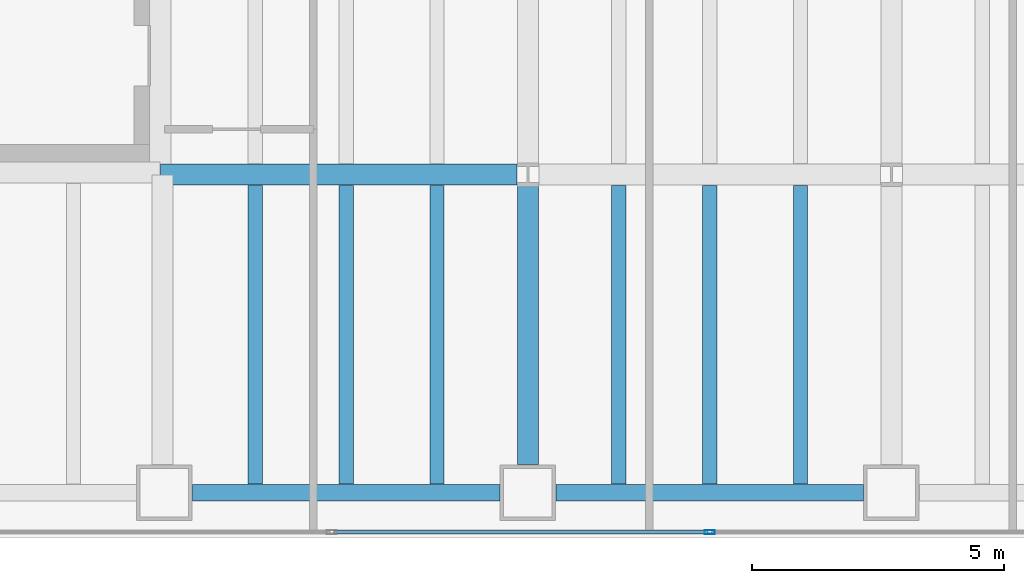
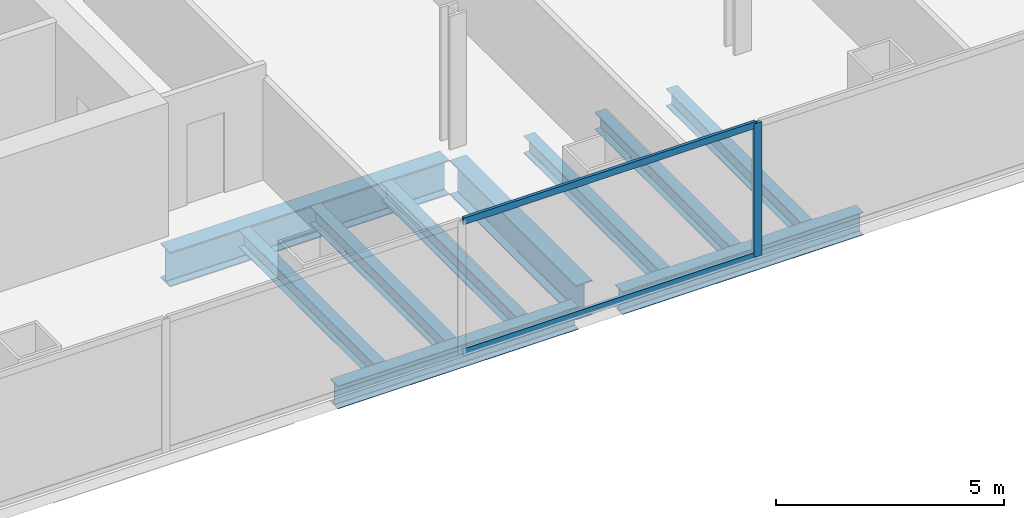
# One storey, part 4 of 25: 10 beams, 3 members, 1 element without a shape of its own.
"""IFC4 building model written with IfcOpenShell, lengths in metres."""

from ifc_helpers import new_model, si_unit, direction, frame, origin, origin_2d, place, context, subcontext, project, spatial, hollow_rectangle, i_section, extrude, material, material_profile, profile_set, type_object, element, aggregate, save


model = new_model("IFC4")

# Units and contexts
model_context = context("Model", 3, precision=1e-05, world=origin(), true_north=direction((0.0, 1.0)))
body_context = subcontext(model_context, "Body", "Model", "MODEL_VIEW")
ifc_project = project(units=[si_unit("LENGTHUNIT", "METRE"), si_unit("AREAUNIT", "SQUARE_METRE"), si_unit("VOLUMEUNIT", "CUBIC_METRE"), si_unit("PLANEANGLEUNIT", "RADIAN"), si_unit("MASSUNIT", "GRAM", prefix="KILO")], contexts=[model_context])

# Site, building, storey
site_placement = place(None, origin())
site = spatial("IfcSite", under=ifc_project, at=site_placement, CompositionType="ELEMENT")
building_placement = place(site_placement, origin())
building = spatial("IfcBuilding", under=site, at=building_placement, Name="Cobrela Telecom Tower", CompositionType="ELEMENT")
storey_placement = place(building_placement, frame((0.0, 0.0, 42.699951171875)))
storey = spatial("IfcBuildingStorey", under=building, at=storey_placement, Name="L10", CompositionType="ELEMENT", Elevation=42.699951171875)

# Beams
ifc_material_1 = material(Name="Steel ASTM A992 Grade 50", Category="steel")
ifc_material_profile_1 = material_profile(ifc_material_1, i_section(OverallWidth=0.4189453125, OverallDepth=0.927001953125, WebThickness=0.019287109375, FlangeThickness=0.031982421875, FilletRadius=0.02392578125, at=origin_2d()), Name="W36X231")
ifc_profile_set_1 = profile_set([ifc_material_profile_1], Name="Steel ASTM A992 Grade 50")
beam_type_1 = type_object("IfcBeamType", Name="BM-GIRD-02", PredefinedType="USERDEFINED", material=ifc_profile_set_1)
beam_1_placement = place(storey_placement, frame((14.324951171875, 7.199951171875, -0.743408203125), z_axis=(1.0, 0.0, 0.0), x_axis=(0.0, 1.0, 0.0)))
element("IfcBeam", 1, at=beam_1_placement, inside=storey, type_object=beam_type_1, Name="L10 Primary Girder X08", ObjectType="GIRDER", PredefinedType="USERDEFINED", context=body_context, shape_type="SweptSolid", body=[
    extrude(i_section(OverallWidth=0.4189453125, OverallDepth=0.927001953125, WebThickness=0.019287109375, FlangeThickness=0.031982421875, FilletRadius=0.02392578125, at=origin_2d()), origin(), (0.0, 0.0, 1.0), 7.05908203125),
])
beam_2_placement = place(storey_placement, frame((21.60009765625, 1.455078125, -0.743408203125), z_axis=(0.0, 1.0, 0.0), x_axis=(-1.0, 0.0, 0.0)))
element("IfcBeam", 2, at=beam_2_placement, inside=storey, type_object=beam_type_1, Name="L10 Primary Girder Y40", ObjectType="GIRDER", PredefinedType="USERDEFINED", context=body_context, shape_type="SweptSolid", body=[
    extrude(i_section(OverallWidth=0.4189453125, OverallDepth=0.927001953125, WebThickness=0.019287109375, FlangeThickness=0.031982421875, FilletRadius=0.02392578125, at=origin_2d()), origin(), (0.0, 0.0, 1.0), 5.52880859375),
])
ifc_material_profile_2 = material_profile(ifc_material_1, i_section(OverallWidth=0.281982421875, OverallDepth=0.467041015625, WebThickness=0.01220703125, FlangeThickness=0.01953125, FilletRadius=0.012939453125, at=origin_2d()), Name="W18X86")
ifc_profile_set_2 = profile_set([ifc_material_profile_2], Name="Steel ASTM A992 Grade 50")
beam_type_2 = type_object("IfcBeamType", Name="BM-JOIST-02", PredefinedType="JOIST", material=ifc_profile_set_2)
for number, where, z_axis, x_axis, name in (
    (3, (16.199951171875, 1.0673828125, -0.513427734375), (0.0, 1.0, 0.0), (-1.0, 0.0, 0.0), "L10 Secondary Composite Floor Beam J07"),
    (4, (18.0, 1.0673828125, -0.513427734375), (0.0, 1.0, 0.0), (-1.0, 0.0, 0.0), "L10 Secondary Composite Floor Beam J13"),
    (5, (19.800048828125, 1.0673828125, -0.513427734375), (0.0, 1.0, 0.0), (-1.0, 0.0, 0.0), "L10 Secondary Composite Floor Beam J19"),
    (6, (23.39990234375, 1.0673828125, -0.513427734375), (0.0, 1.0, 0.0), (-1.0, 0.0, 0.0), "L10 Secondary Composite Floor Beam J25"),
    (7, (25.199951171875, 1.0673828125, -0.513427734375), (0.0, 1.0, 0.0), (-1.0, 0.0, 0.0), "L10 Secondary Composite Floor Beam J31"),
    (8, (27.0, 1.0673828125, -0.513427734375), (0.0, 1.0, 0.0), (-1.0, 0.0, 0.0), "L10 Secondary Composite Floor Beam J36"),
):
    element("IfcBeam", number, at=place(storey_placement, frame(where, z_axis=z_axis, x_axis=x_axis)), inside=storey, type_object=beam_type_2, Name=name, PredefinedType="JOIST", context=body_context, shape_type="SweptSolid", body=[
        extrude(i_section(OverallWidth=0.281982421875, OverallDepth=0.467041015625, WebThickness=0.01220703125, FlangeThickness=0.01953125, FilletRadius=0.012939453125, at=origin_2d()), origin(), (0.0, 0.0, 1.0), 5.918212890625),
    ])
ifc_material_profile_3 = material_profile(ifc_material_1, i_section(OverallWidth=0.324951171875, OverallDepth=0.612060546875, WebThickness=0.0126953125, FlangeThickness=0.01904296875, FilletRadius=0.014892578125, at=origin_2d()), Name="W24X104")
ifc_profile_set_3 = profile_set([ifc_material_profile_3], Name="Steel ASTM A992 Grade 50")
beam_type_3 = type_object("IfcBeamType", Name="BM-SPAND-02", PredefinedType="SPANDREL", material=ifc_profile_set_3)
beam_3_placement = place(storey_placement, frame((14.955078125, 0.89990234375, -0.5859375), z_axis=(1.0, 0.0, 0.0), x_axis=(0.0, 1.0, 0.0)))
element("IfcBeam", 9, at=beam_3_placement, inside=storey, type_object=beam_type_3, Name="L10 Perimeter Spandrel X02", PredefinedType="SPANDREL", context=body_context, shape_type="SweptSolid", body=[
    extrude(i_section(OverallWidth=0.324951171875, OverallDepth=0.612060546875, WebThickness=0.0126953125, FlangeThickness=0.01904296875, FilletRadius=0.014892578125, at=origin_2d()), origin(), (0.0, 0.0, 1.0), 6.08984375),
])
beam_4_placement = place(storey_placement, frame((22.155029296875, 0.89990234375, -0.5859375), z_axis=(1.0, 0.0, 0.0), x_axis=(0.0, 1.0, 0.0)))
element("IfcBeam", 10, at=beam_4_placement, inside=storey, type_object=beam_type_3, Name="L10 Perimeter Spandrel X03", PredefinedType="SPANDREL", context=body_context, shape_type="SweptSolid", body=[
    extrude(i_section(OverallWidth=0.324951171875, OverallDepth=0.612060546875, WebThickness=0.0126953125, FlangeThickness=0.01904296875, FilletRadius=0.014892578125, at=origin_2d()), origin(), (0.0, 0.0, 1.0), 6.090087890625),
])

# Curtain wall, members
ifc_material_2 = material(Name="Anodized Bronze Aluminium 6063-T6", Category="aluminium")
curtain_wall_type = type_object("IfcCurtainWallType", Name="CW-SYS-DATA", PredefinedType="USERDEFINED", material=ifc_material_2)
curtain_wall_placement = place(storey_placement, origin())
curtain_wall = element("IfcCurtainWall", 11, at=curtain_wall_placement, inside=storey, type_object=curtain_wall_type, Name="L10 Unitised Bronze Curtain Wall 17", ObjectType="UNITISED CURTAIN WALL", PredefinedType="USERDEFINED")
ifc_material_profile_4 = material_profile(ifc_material_2, hollow_rectangle(XDim=0.080078125, YDim=0.199951171875, WallThickness=0.00390625, at=origin_2d()), Name="ALU 80x200x4")
ifc_profile_set_4 = profile_set([ifc_material_profile_4], Name="Anodized Bronze Aluminium 6063-T6")
member_type_1 = type_object("IfcMemberType", Name="CW-SYS-DATA-MUL", PredefinedType="MULLION", material=ifc_profile_set_4)
member_1_placement = place(storey_placement, frame((25.199951171875, 0.1201171875, 0.0), z_axis=(0.0, 0.0, 1.0), x_axis=(0.0, -1.0, 0.0)))
member_1 = element("IfcMember", 12, at=member_1_placement, type_object=member_type_1, Name="CW-DATA mullion 4", PredefinedType="MULLION", context=body_context, shape_type="SweptSolid", body=[
    extrude(hollow_rectangle(XDim=0.080078125, YDim=0.199951171875, WallThickness=0.00390625, at=origin_2d()), origin(), (0.0, 0.0, 1.0), 3.570068359375),
])
ifc_material_profile_5 = material_profile(ifc_material_2, hollow_rectangle(XDim=0.074951171875, YDim=0.179931640625, WallThickness=0.00390625, at=origin_2d()), Name="ALU 75x180x4")
ifc_profile_set_5 = profile_set([ifc_material_profile_5], Name="Anodized Bronze Aluminium 6063-T6")
member_type_2 = type_object("IfcMemberType", Name="CW-SYS-DATA-TRN", PredefinedType="USERDEFINED", material=ifc_profile_set_5)
member_2_placement = place(storey_placement, frame((25.159912109375, 0.1201171875, 0.03759765625), z_axis=(-1.0, 0.0, 0.0), x_axis=(0.0, -1.0, 0.0)))
member_2 = element("IfcMember", 13, at=member_2_placement, type_object=member_type_2, Name="CW-DATA transom 4.1", ObjectType="TRANSOM", PredefinedType="USERDEFINED", context=body_context, shape_type="SweptSolid", body=[
    extrude(hollow_rectangle(XDim=0.074951171875, YDim=0.179931640625, WallThickness=0.00390625, at=origin_2d()), origin(), (0.0, 0.0, 1.0), 7.4033203125),
])
member_3_placement = place(storey_placement, frame((25.159912109375, 0.1201171875, 3.532470703125), z_axis=(-1.0, 0.0, 0.0), x_axis=(0.0, -1.0, 0.0)))
member_3 = element("IfcMember", 14, at=member_3_placement, type_object=member_type_2, Name="CW-DATA transom 4.2", ObjectType="TRANSOM", PredefinedType="USERDEFINED", context=body_context, shape_type="SweptSolid", body=[
    extrude(hollow_rectangle(XDim=0.074951171875, YDim=0.179931640625, WallThickness=0.00390625, at=origin_2d()), origin(), (0.0, 0.0, 1.0), 7.4033203125),
])
aggregate(curtain_wall, [member_1, member_2, member_3])

save(model, "model.ifc")
